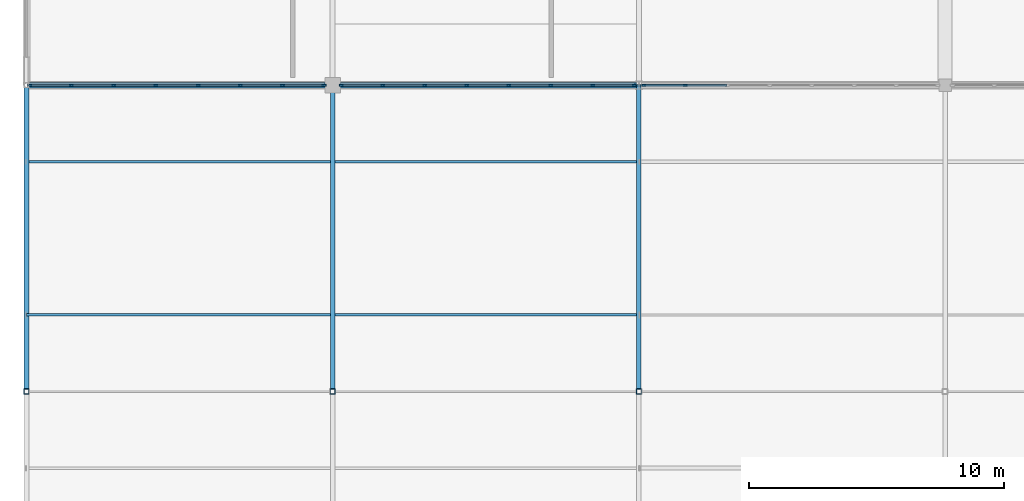
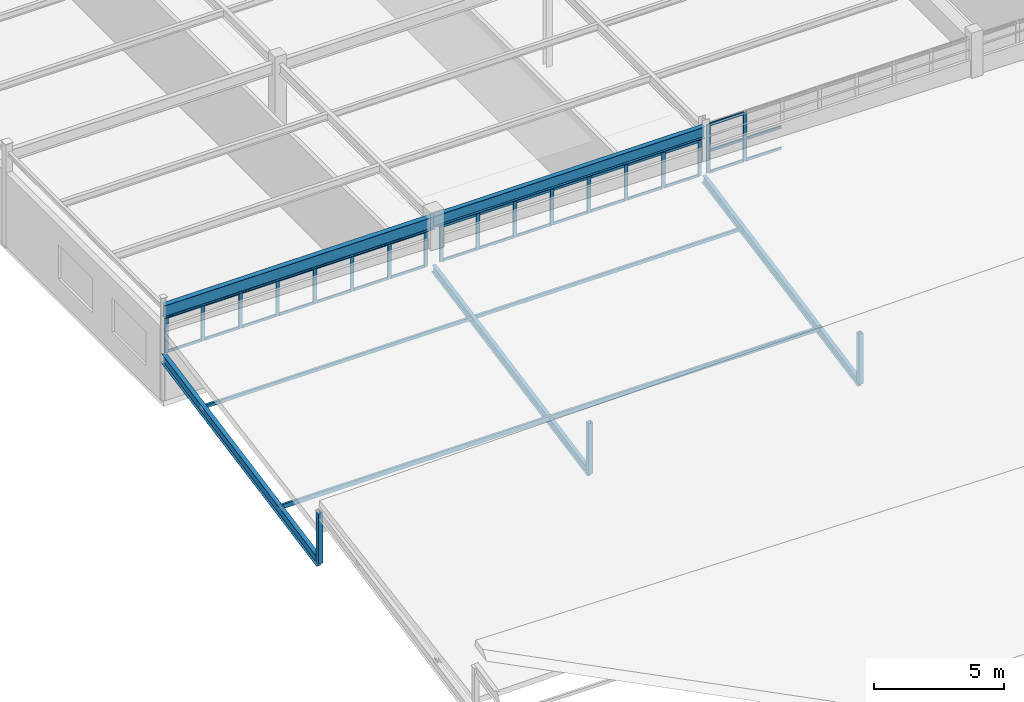
# One storey, part 71 of 226: 59 members, 2 beams, 3 elements without a shape of their own.
"""IFC4 building model written with IfcOpenShell, lengths in metres."""

from ifc_helpers import new_model, si_unit, direction, frame, origin, origin_2d, place, context, subcontext, project, spatial, rectangle, hollow_rectangle, i_section, extrude, material, layer, layer_set, material_profile, profile_set, type_object, element, aggregate, save


model = new_model("IFC4")

# Units and contexts
model_context = context("Model", 3, precision=1e-05, world=origin(), true_north=direction((0.0, 1.0)))
body_context = subcontext(model_context, "Body", "Model", "MODEL_VIEW")
ifc_project = project(units=[si_unit("LENGTHUNIT", "METRE"), si_unit("AREAUNIT", "SQUARE_METRE"), si_unit("VOLUMEUNIT", "CUBIC_METRE"), si_unit("PLANEANGLEUNIT", "RADIAN"), si_unit("MASSUNIT", "GRAM", prefix="KILO")], contexts=[model_context])

# Site, building, storey
site_placement = place(None, origin())
site = spatial("IfcSite", under=ifc_project, at=site_placement, CompositionType="ELEMENT")
building_placement = place(site_placement, origin())
building = spatial("IfcBuilding", under=site, at=building_placement, Name="Tarnwether General Hospital", CompositionType="ELEMENT")
storey_placement = place(building_placement, frame((0.0, 0.0, 4.800048828125)))
storey = spatial("IfcBuildingStorey", under=building, at=storey_placement, Name="L01", CompositionType="ELEMENT", Elevation=4.800048828125)

# Beams
ifc_material_1 = material(Name="Steel Grade 350 (350 MPa)", Category="steel")
ifc_material_profile_1 = material_profile(ifc_material_1, i_section(OverallWidth=0.22802734375, OverallDepth=0.60205078125, WebThickness=0.010498046875, FlangeThickness=0.014892578125, at=origin_2d()), Name="610UB101")
ifc_profile_set_1 = profile_set([ifc_material_profile_1], Name="Steel Grade 350 (350 MPa)")
beam_type_1 = type_object("IfcBeamType", Name="BM-G05", PredefinedType="BEAM", material=ifc_profile_set_1)
beam_1_placement = place(storey_placement, frame((0.0, 45.60009765625, 4.138916015625), z_axis=(1.0, 0.0, 0.0), x_axis=(0.0, 1.0, 0.0)))
element("IfcBeam", 1, at=beam_1_placement, inside=storey, type_object=beam_type_1, Name="Primary Girder BMG-L01-0_4560-1200_4560-1045", PredefinedType="BEAM", context=body_context, shape_type="SweptSolid", body=[
    extrude(i_section(OverallWidth=0.22802734375, OverallDepth=0.60205078125, WebThickness=0.010498046875, FlangeThickness=0.014892578125, at=origin_2d()), origin(), (0.0, 0.0, 1.0), 12.0),
])
ifc_material_2 = material(Name="Steel Grade 350 (350 MPa)", Category="steel")
ifc_material_profile_2 = material_profile(ifc_material_2, i_section(OverallWidth=0.208984375, OverallDepth=0.532958984375, WebThickness=0.01025390625, FlangeThickness=0.015625, at=origin_2d()), Name="530UB92.4")
ifc_profile_set_2 = profile_set([ifc_material_profile_2], Name="Steel Grade 350 (350 MPa)")
beam_type_2 = type_object("IfcBeamType", Name="BM-G06", PredefinedType="BEAM", material=ifc_profile_set_2)
beam_2_placement = place(storey_placement, frame((12.0, 45.60009765625, 4.17333984375), z_axis=(1.0, 0.0, 0.0), x_axis=(0.0, 1.0, 0.0)))
element("IfcBeam", 2, at=beam_2_placement, inside=storey, type_object=beam_type_2, Name="Primary Girder BMG-L01-1200_4560-2400_4560-1060", PredefinedType="BEAM", context=body_context, shape_type="SweptSolid", body=[
    extrude(i_section(OverallWidth=0.208984375, OverallDepth=0.532958984375, WebThickness=0.01025390625, FlangeThickness=0.015625, at=origin_2d()), origin(), (0.0, 0.0, 1.0), 12.0),
])

# Curtain wall, members
ifc_material_3 = material(Name="Anodised aluminium", Category="aluminium")
ifc_layer = layer(ifc_material_3, 0.159912109375)
ifc_layer_set = layer_set([ifc_layer], Name="Anodised aluminium")
curtain_wall_type = type_object("IfcCurtainWallType", Name="CW-24", PredefinedType="NOTDEFINED", material=ifc_layer_set)
curtain_wall_1_placement = place(storey_placement, origin())
curtain_wall_1 = element("IfcCurtainWall", 3, at=curtain_wall_1_placement, inside=storey, type_object=curtain_wall_type, Name="Curtain Wall CWG-L01-357_456-0349", PredefinedType="NOTDEFINED")
ifc_material_4 = material(Name="Anodised aluminium", Category="aluminium")
ifc_material_profile_3 = material_profile(ifc_material_4, rectangle(XDim=0.06005859375, YDim=0.159912109375, at=origin_2d()), Name="ALU-MUL-60x160")
ifc_profile_set_3 = profile_set([ifc_material_profile_3], Name="Anodised aluminium")
member_type_1 = type_object("IfcMemberType", Name="CW-ML1", PredefinedType="MULLION", material=ifc_profile_set_3)
member_1_placement = place(storey_placement, frame((25.814453125, 45.60009765625, 2.14990234375), z_axis=(0.0, 0.0, 1.0), x_axis=(0.0, -1.0, 0.0)))
member_1 = element("IfcMember", 4, at=member_1_placement, type_object=member_type_1, Name="CW-24 mullion 7", PredefinedType="MULLION", context=body_context, shape_type="SweptSolid", body=[
    extrude(rectangle(XDim=0.06005859375, YDim=0.159912109375, at=origin_2d()), origin(), (0.0, 0.0, 1.0), 2.280029296875),
])
member_2_placement = place(storey_placement, frame((24.18994140625, 45.60009765625, 2.14990234375), z_axis=(0.0, 0.0, 1.0), x_axis=(0.0, -1.0, 0.0)))
member_2 = element("IfcMember", 5, at=member_2_placement, type_object=member_type_1, Name="CW-24 mullion 8", PredefinedType="MULLION", context=body_context, shape_type="SweptSolid", body=[
    extrude(rectangle(XDim=0.06005859375, YDim=0.159912109375, at=origin_2d()), origin(), (0.0, 0.0, 1.0), 2.280029296875),
])

curtain_wall_2_placement = place(storey_placement, origin())
curtain_wall_2 = element("IfcCurtainWall", 6, at=curtain_wall_2_placement, inside=storey, type_object=curtain_wall_type, Name="Curtain Wall CWG-L01-238_456-0350", PredefinedType="NOTDEFINED")
member_3_placement = place(storey_placement, frame((23.81005859375, 45.60009765625, 2.14990234375), z_axis=(0.0, 0.0, 1.0), x_axis=(0.0, -1.0, 0.0)))
member_3 = element("IfcMember", 7, at=member_3_placement, type_object=member_type_1, Name="CW-24 mullion 1", PredefinedType="MULLION", context=body_context, shape_type="SweptSolid", body=[
    extrude(rectangle(XDim=0.06005859375, YDim=0.159912109375, at=origin_2d()), origin(), (0.0, 0.0, 1.0), 1.673095703125),
])
member_4_placement = place(storey_placement, frame((22.192626953125, 45.60009765625, 2.14990234375), z_axis=(0.0, 0.0, 1.0), x_axis=(0.0, -1.0, 0.0)))
member_4 = element("IfcMember", 8, at=member_4_placement, type_object=member_type_1, Name="CW-24 mullion 2", PredefinedType="MULLION", context=body_context, shape_type="SweptSolid", body=[
    extrude(rectangle(XDim=0.06005859375, YDim=0.159912109375, at=origin_2d()), origin(), (0.0, 0.0, 1.0), 1.673095703125),
])
member_5_placement = place(storey_placement, frame((20.545166015625, 45.60009765625, 2.14990234375), z_axis=(0.0, 0.0, 1.0), x_axis=(0.0, -1.0, 0.0)))
member_5 = element("IfcMember", 9, at=member_5_placement, type_object=member_type_1, Name="CW-24 mullion 3", PredefinedType="MULLION", context=body_context, shape_type="SweptSolid", body=[
    extrude(rectangle(XDim=0.06005859375, YDim=0.159912109375, at=origin_2d()), origin(), (0.0, 0.0, 1.0), 1.673095703125),
])
member_6_placement = place(storey_placement, frame((18.897705078125, 45.60009765625, 2.14990234375), z_axis=(0.0, 0.0, 1.0), x_axis=(0.0, -1.0, 0.0)))
member_6 = element("IfcMember", 10, at=member_6_placement, type_object=member_type_1, Name="CW-24 mullion 4", PredefinedType="MULLION", context=body_context, shape_type="SweptSolid", body=[
    extrude(rectangle(XDim=0.06005859375, YDim=0.159912109375, at=origin_2d()), origin(), (0.0, 0.0, 1.0), 1.673095703125),
])
member_7_placement = place(storey_placement, frame((17.250244140625, 45.60009765625, 2.14990234375), z_axis=(0.0, 0.0, 1.0), x_axis=(0.0, -1.0, 0.0)))
member_7 = element("IfcMember", 11, at=member_7_placement, type_object=member_type_1, Name="CW-24 mullion 5", PredefinedType="MULLION", context=body_context, shape_type="SweptSolid", body=[
    extrude(rectangle(XDim=0.06005859375, YDim=0.159912109375, at=origin_2d()), origin(), (0.0, 0.0, 1.0), 1.673095703125),
])
member_8_placement = place(storey_placement, frame((15.602783203125, 45.60009765625, 2.14990234375), z_axis=(0.0, 0.0, 1.0), x_axis=(0.0, -1.0, 0.0)))
member_8 = element("IfcMember", 12, at=member_8_placement, type_object=member_type_1, Name="CW-24 mullion 6", PredefinedType="MULLION", context=body_context, shape_type="SweptSolid", body=[
    extrude(rectangle(XDim=0.06005859375, YDim=0.159912109375, at=origin_2d()), origin(), (0.0, 0.0, 1.0), 1.673095703125),
])
member_9_placement = place(storey_placement, frame((13.955322265625, 45.60009765625, 2.14990234375), z_axis=(0.0, 0.0, 1.0), x_axis=(0.0, -1.0, 0.0)))
member_9 = element("IfcMember", 13, at=member_9_placement, type_object=member_type_1, Name="CW-24 mullion 7", PredefinedType="MULLION", context=body_context, shape_type="SweptSolid", body=[
    extrude(rectangle(XDim=0.06005859375, YDim=0.159912109375, at=origin_2d()), origin(), (0.0, 0.0, 1.0), 1.673095703125),
])
member_10_placement = place(storey_placement, frame((12.337890625, 45.60009765625, 2.14990234375), z_axis=(0.0, 0.0, 1.0), x_axis=(0.0, -1.0, 0.0)))
member_10 = element("IfcMember", 14, at=member_10_placement, type_object=member_type_1, Name="CW-24 mullion 8", PredefinedType="MULLION", context=body_context, shape_type="SweptSolid", body=[
    extrude(rectangle(XDim=0.06005859375, YDim=0.159912109375, at=origin_2d()), origin(), (0.0, 0.0, 1.0), 1.673095703125),
])

curtain_wall_3_placement = place(storey_placement, origin())
curtain_wall_3 = element("IfcCurtainWall", 15, at=curtain_wall_3_placement, inside=storey, type_object=curtain_wall_type, Name="Curtain Wall CWG-L01-117_456-0351", PredefinedType="NOTDEFINED")
member_11_placement = place(storey_placement, frame((11.662109375, 45.60009765625, 2.14990234375), z_axis=(0.0, 0.0, 1.0), x_axis=(0.0, -1.0, 0.0)))
member_11 = element("IfcMember", 16, at=member_11_placement, type_object=member_type_1, Name="CW-24 mullion 1", PredefinedType="MULLION", context=body_context, shape_type="SweptSolid", body=[
    extrude(rectangle(XDim=0.06005859375, YDim=0.159912109375, at=origin_2d()), origin(), (0.0, 0.0, 1.0), 1.673095703125),
])
member_12_placement = place(storey_placement, frame((10.03662109375, 45.60009765625, 2.14990234375), z_axis=(0.0, 0.0, 1.0), x_axis=(0.0, -1.0, 0.0)))
member_12 = element("IfcMember", 17, at=member_12_placement, type_object=member_type_1, Name="CW-24 mullion 2", PredefinedType="MULLION", context=body_context, shape_type="SweptSolid", body=[
    extrude(rectangle(XDim=0.06005859375, YDim=0.159912109375, at=origin_2d()), origin(), (0.0, 0.0, 1.0), 1.673095703125),
])
member_13_placement = place(storey_placement, frame((8.38134765625, 45.60009765625, 2.14990234375), z_axis=(0.0, 0.0, 1.0), x_axis=(0.0, -1.0, 0.0)))
member_13 = element("IfcMember", 18, at=member_13_placement, type_object=member_type_1, Name="CW-24 mullion 3", PredefinedType="MULLION", context=body_context, shape_type="SweptSolid", body=[
    extrude(rectangle(XDim=0.06005859375, YDim=0.159912109375, at=origin_2d()), origin(), (0.0, 0.0, 1.0), 1.673095703125),
])
member_14_placement = place(storey_placement, frame((6.72607421875, 45.60009765625, 2.14990234375), z_axis=(0.0, 0.0, 1.0), x_axis=(0.0, -1.0, 0.0)))
member_14 = element("IfcMember", 19, at=member_14_placement, type_object=member_type_1, Name="CW-24 mullion 4", PredefinedType="MULLION", context=body_context, shape_type="SweptSolid", body=[
    extrude(rectangle(XDim=0.06005859375, YDim=0.159912109375, at=origin_2d()), origin(), (0.0, 0.0, 1.0), 1.673095703125),
])
member_15_placement = place(storey_placement, frame((5.07080078125, 45.60009765625, 2.14990234375), z_axis=(0.0, 0.0, 1.0), x_axis=(0.0, -1.0, 0.0)))
member_15 = element("IfcMember", 20, at=member_15_placement, type_object=member_type_1, Name="CW-24 mullion 5", PredefinedType="MULLION", context=body_context, shape_type="SweptSolid", body=[
    extrude(rectangle(XDim=0.06005859375, YDim=0.159912109375, at=origin_2d()), origin(), (0.0, 0.0, 1.0), 1.673095703125),
])
member_16_placement = place(storey_placement, frame((3.41552734375, 45.60009765625, 2.14990234375), z_axis=(0.0, 0.0, 1.0), x_axis=(0.0, -1.0, 0.0)))
member_16 = element("IfcMember", 21, at=member_16_placement, type_object=member_type_1, Name="CW-24 mullion 6", PredefinedType="MULLION", context=body_context, shape_type="SweptSolid", body=[
    extrude(rectangle(XDim=0.06005859375, YDim=0.159912109375, at=origin_2d()), origin(), (0.0, 0.0, 1.0), 1.673095703125),
])
member_17_placement = place(storey_placement, frame((1.76025390625, 45.60009765625, 2.14990234375), z_axis=(0.0, 0.0, 1.0), x_axis=(0.0, -1.0, 0.0)))
member_17 = element("IfcMember", 22, at=member_17_placement, type_object=member_type_1, Name="CW-24 mullion 7", PredefinedType="MULLION", context=body_context, shape_type="SweptSolid", body=[
    extrude(rectangle(XDim=0.06005859375, YDim=0.159912109375, at=origin_2d()), origin(), (0.0, 0.0, 1.0), 1.673095703125),
])
member_18_placement = place(storey_placement, frame((0.135009765625, 45.60009765625, 2.14990234375), z_axis=(0.0, 0.0, 1.0), x_axis=(0.0, -1.0, 0.0)))
member_18 = element("IfcMember", 23, at=member_18_placement, type_object=member_type_1, Name="CW-24 mullion 8", PredefinedType="MULLION", context=body_context, shape_type="SweptSolid", body=[
    extrude(rectangle(XDim=0.06005859375, YDim=0.159912109375, at=origin_2d()), origin(), (0.0, 0.0, 1.0), 1.673095703125),
])

# Member
ifc_material_5 = material(Name="Anodised aluminium", Category="aluminium")
ifc_material_profile_4 = material_profile(ifc_material_5, rectangle(XDim=0.06005859375, YDim=0.1201171875, at=origin_2d()), Name="ALU-TRN-60x120")
ifc_profile_set_4 = profile_set([ifc_material_profile_4], Name="Anodised aluminium")
member_type_2 = type_object("IfcMemberType", Name="CW-TR1", PredefinedType="USERDEFINED", material=ifc_profile_set_4)
member_19_placement = place(storey_placement, frame((27.439208984375, 45.60009765625, 2.179931640625), z_axis=(-1.0, 0.0, 0.0), x_axis=(0.0, -1.0, 0.0)))
member_19 = element("IfcMember", 24, at=member_19_placement, type_object=member_type_2, Name="CW-24 transom 6.1", ObjectType="TRANSOM", PredefinedType="USERDEFINED", context=body_context, shape_type="SweptSolid", body=[
    extrude(rectangle(XDim=0.06005859375, YDim=0.1201171875, at=origin_2d()), origin(), (0.0, 0.0, 1.0), 1.5947265625),
])

member_20_placement = place(storey_placement, frame((27.439208984375, 45.60009765625, 3.176025390625), z_axis=(-1.0, 0.0, 0.0), x_axis=(0.0, -1.0, 0.0)))
member_20 = element("IfcMember", 25, at=member_20_placement, type_object=member_type_2, Name="CW-24 transom 6.2", ObjectType="TRANSOM", PredefinedType="USERDEFINED", context=body_context, shape_type="SweptSolid", body=[
    extrude(rectangle(XDim=0.06005859375, YDim=0.1201171875, at=origin_2d()), origin(), (0.0, 0.0, 1.0), 1.5947265625),
])

member_21_placement = place(storey_placement, frame((25.78466796875, 45.60009765625, 2.179931640625), z_axis=(-1.0, 0.0, 0.0), x_axis=(0.0, -1.0, 0.0)))
member_21 = element("IfcMember", 26, at=member_21_placement, type_object=member_type_2, Name="CW-24 transom 7.1", ObjectType="TRANSOM", PredefinedType="USERDEFINED", context=body_context, shape_type="SweptSolid", body=[
    extrude(rectangle(XDim=0.06005859375, YDim=0.1201171875, at=origin_2d()), origin(), (0.0, 0.0, 1.0), 1.564697265625),
])

member_22_placement = place(storey_placement, frame((25.78466796875, 45.60009765625, 3.176025390625), z_axis=(-1.0, 0.0, 0.0), x_axis=(0.0, -1.0, 0.0)))
member_22 = element("IfcMember", 27, at=member_22_placement, type_object=member_type_2, Name="CW-24 transom 7.2", ObjectType="TRANSOM", PredefinedType="USERDEFINED", context=body_context, shape_type="SweptSolid", body=[
    extrude(rectangle(XDim=0.06005859375, YDim=0.1201171875, at=origin_2d()), origin(), (0.0, 0.0, 1.0), 1.564697265625),
])

member_23_placement = place(storey_placement, frame((25.78466796875, 45.60009765625, 4.39990234375), z_axis=(-1.0, 0.0, 0.0), x_axis=(0.0, -1.0, 0.0)))
member_23 = element("IfcMember", 28, at=member_23_placement, type_object=member_type_2, Name="CW-24 transom 7.3", ObjectType="TRANSOM", PredefinedType="USERDEFINED", context=body_context, shape_type="SweptSolid", body=[
    extrude(rectangle(XDim=0.06005859375, YDim=0.1201171875, at=origin_2d()), origin(), (0.0, 0.0, 1.0), 1.564697265625),
])

aggregate(curtain_wall_1, [member_1, member_2, member_19, member_20, member_21, member_22, member_23])

member_24_placement = place(storey_placement, frame((23.780029296875, 45.60009765625, 2.179931640625), z_axis=(-1.0, 0.0, 0.0), x_axis=(0.0, -1.0, 0.0)))
member_24 = element("IfcMember", 29, at=member_24_placement, type_object=member_type_2, Name="CW-24 transom 1.1", ObjectType="TRANSOM", PredefinedType="USERDEFINED", context=body_context, shape_type="SweptSolid", body=[
    extrude(rectangle(XDim=0.06005859375, YDim=0.1201171875, at=origin_2d()), origin(), (0.0, 0.0, 1.0), 1.557373046875),
])

member_25_placement = place(storey_placement, frame((23.780029296875, 45.60009765625, 3.79296875), z_axis=(-1.0, 0.0, 0.0), x_axis=(0.0, -1.0, 0.0)))
member_25 = element("IfcMember", 30, at=member_25_placement, type_object=member_type_2, Name="CW-24 transom 1.2", ObjectType="TRANSOM", PredefinedType="USERDEFINED", context=body_context, shape_type="SweptSolid", body=[
    extrude(rectangle(XDim=0.06005859375, YDim=0.1201171875, at=origin_2d()), origin(), (0.0, 0.0, 1.0), 1.557373046875),
])

member_26_placement = place(storey_placement, frame((22.16259765625, 45.60009765625, 2.179931640625), z_axis=(-1.0, 0.0, 0.0), x_axis=(0.0, -1.0, 0.0)))
member_26 = element("IfcMember", 31, at=member_26_placement, type_object=member_type_2, Name="CW-24 transom 2.1", ObjectType="TRANSOM", PredefinedType="USERDEFINED", context=body_context, shape_type="SweptSolid", body=[
    extrude(rectangle(XDim=0.06005859375, YDim=0.1201171875, at=origin_2d()), origin(), (0.0, 0.0, 1.0), 1.58740234375),
])

member_27_placement = place(storey_placement, frame((22.16259765625, 45.60009765625, 3.79296875), z_axis=(-1.0, 0.0, 0.0), x_axis=(0.0, -1.0, 0.0)))
member_27 = element("IfcMember", 32, at=member_27_placement, type_object=member_type_2, Name="CW-24 transom 2.2", ObjectType="TRANSOM", PredefinedType="USERDEFINED", context=body_context, shape_type="SweptSolid", body=[
    extrude(rectangle(XDim=0.06005859375, YDim=0.1201171875, at=origin_2d()), origin(), (0.0, 0.0, 1.0), 1.58740234375),
])

member_28_placement = place(storey_placement, frame((20.51513671875, 45.60009765625, 2.179931640625), z_axis=(-1.0, 0.0, 0.0), x_axis=(0.0, -1.0, 0.0)))
member_28 = element("IfcMember", 33, at=member_28_placement, type_object=member_type_2, Name="CW-24 transom 3.1", ObjectType="TRANSOM", PredefinedType="USERDEFINED", context=body_context, shape_type="SweptSolid", body=[
    extrude(rectangle(XDim=0.06005859375, YDim=0.1201171875, at=origin_2d()), origin(), (0.0, 0.0, 1.0), 1.58740234375),
])

member_29_placement = place(storey_placement, frame((20.51513671875, 45.60009765625, 3.79296875), z_axis=(-1.0, 0.0, 0.0), x_axis=(0.0, -1.0, 0.0)))
member_29 = element("IfcMember", 34, at=member_29_placement, type_object=member_type_2, Name="CW-24 transom 3.2", ObjectType="TRANSOM", PredefinedType="USERDEFINED", context=body_context, shape_type="SweptSolid", body=[
    extrude(rectangle(XDim=0.06005859375, YDim=0.1201171875, at=origin_2d()), origin(), (0.0, 0.0, 1.0), 1.58740234375),
])

member_30_placement = place(storey_placement, frame((18.86767578125, 45.60009765625, 2.179931640625), z_axis=(-1.0, 0.0, 0.0), x_axis=(0.0, -1.0, 0.0)))
member_30 = element("IfcMember", 35, at=member_30_placement, type_object=member_type_2, Name="CW-24 transom 4.1", ObjectType="TRANSOM", PredefinedType="USERDEFINED", context=body_context, shape_type="SweptSolid", body=[
    extrude(rectangle(XDim=0.06005859375, YDim=0.1201171875, at=origin_2d()), origin(), (0.0, 0.0, 1.0), 1.58740234375),
])

member_31_placement = place(storey_placement, frame((18.86767578125, 45.60009765625, 3.79296875), z_axis=(-1.0, 0.0, 0.0), x_axis=(0.0, -1.0, 0.0)))
member_31 = element("IfcMember", 36, at=member_31_placement, type_object=member_type_2, Name="CW-24 transom 4.2", ObjectType="TRANSOM", PredefinedType="USERDEFINED", context=body_context, shape_type="SweptSolid", body=[
    extrude(rectangle(XDim=0.06005859375, YDim=0.1201171875, at=origin_2d()), origin(), (0.0, 0.0, 1.0), 1.58740234375),
])

member_32_placement = place(storey_placement, frame((17.22021484375, 45.60009765625, 2.179931640625), z_axis=(-1.0, 0.0, 0.0), x_axis=(0.0, -1.0, 0.0)))
member_32 = element("IfcMember", 37, at=member_32_placement, type_object=member_type_2, Name="CW-24 transom 5.1", ObjectType="TRANSOM", PredefinedType="USERDEFINED", context=body_context, shape_type="SweptSolid", body=[
    extrude(rectangle(XDim=0.06005859375, YDim=0.1201171875, at=origin_2d()), origin(), (0.0, 0.0, 1.0), 1.58740234375),
])

member_33_placement = place(storey_placement, frame((17.22021484375, 45.60009765625, 3.79296875), z_axis=(-1.0, 0.0, 0.0), x_axis=(0.0, -1.0, 0.0)))
member_33 = element("IfcMember", 38, at=member_33_placement, type_object=member_type_2, Name="CW-24 transom 5.2", ObjectType="TRANSOM", PredefinedType="USERDEFINED", context=body_context, shape_type="SweptSolid", body=[
    extrude(rectangle(XDim=0.06005859375, YDim=0.1201171875, at=origin_2d()), origin(), (0.0, 0.0, 1.0), 1.58740234375),
])

member_34_placement = place(storey_placement, frame((15.57275390625, 45.60009765625, 2.179931640625), z_axis=(-1.0, 0.0, 0.0), x_axis=(0.0, -1.0, 0.0)))
member_34 = element("IfcMember", 39, at=member_34_placement, type_object=member_type_2, Name="CW-24 transom 6.1", ObjectType="TRANSOM", PredefinedType="USERDEFINED", context=body_context, shape_type="SweptSolid", body=[
    extrude(rectangle(XDim=0.06005859375, YDim=0.1201171875, at=origin_2d()), origin(), (0.0, 0.0, 1.0), 1.58740234375),
])

member_35_placement = place(storey_placement, frame((15.57275390625, 45.60009765625, 3.79296875), z_axis=(-1.0, 0.0, 0.0), x_axis=(0.0, -1.0, 0.0)))
member_35 = element("IfcMember", 40, at=member_35_placement, type_object=member_type_2, Name="CW-24 transom 6.2", ObjectType="TRANSOM", PredefinedType="USERDEFINED", context=body_context, shape_type="SweptSolid", body=[
    extrude(rectangle(XDim=0.06005859375, YDim=0.1201171875, at=origin_2d()), origin(), (0.0, 0.0, 1.0), 1.58740234375),
])

member_36_placement = place(storey_placement, frame((13.925537109375, 45.60009765625, 2.179931640625), z_axis=(-1.0, 0.0, 0.0), x_axis=(0.0, -1.0, 0.0)))
member_36 = element("IfcMember", 41, at=member_36_placement, type_object=member_type_2, Name="CW-24 transom 7.1", ObjectType="TRANSOM", PredefinedType="USERDEFINED", context=body_context, shape_type="SweptSolid", body=[
    extrude(rectangle(XDim=0.06005859375, YDim=0.1201171875, at=origin_2d()), origin(), (0.0, 0.0, 1.0), 1.5576171875),
])

member_37_placement = place(storey_placement, frame((13.925537109375, 45.60009765625, 3.79296875), z_axis=(-1.0, 0.0, 0.0), x_axis=(0.0, -1.0, 0.0)))
member_37 = element("IfcMember", 42, at=member_37_placement, type_object=member_type_2, Name="CW-24 transom 7.2", ObjectType="TRANSOM", PredefinedType="USERDEFINED", context=body_context, shape_type="SweptSolid", body=[
    extrude(rectangle(XDim=0.06005859375, YDim=0.1201171875, at=origin_2d()), origin(), (0.0, 0.0, 1.0), 1.5576171875),
])

aggregate(curtain_wall_2, [member_3, member_4, member_5, member_6, member_7, member_8, member_9, member_10, member_24, member_25, member_26, member_27, member_28, member_29, member_30, member_31, member_32, member_33, member_34, member_35, member_36, member_37])

member_38_placement = place(storey_placement, frame((11.632080078125, 45.60009765625, 2.179931640625), z_axis=(-1.0, 0.0, 0.0), x_axis=(0.0, -1.0, 0.0)))
member_38 = element("IfcMember", 43, at=member_38_placement, type_object=member_type_2, Name="CW-24 transom 1.1", ObjectType="TRANSOM", PredefinedType="USERDEFINED", context=body_context, shape_type="SweptSolid", body=[
    extrude(rectangle(XDim=0.06005859375, YDim=0.1201171875, at=origin_2d()), origin(), (0.0, 0.0, 1.0), 1.5654296875),
])

member_39_placement = place(storey_placement, frame((11.632080078125, 45.60009765625, 3.79296875), z_axis=(-1.0, 0.0, 0.0), x_axis=(0.0, -1.0, 0.0)))
member_39 = element("IfcMember", 44, at=member_39_placement, type_object=member_type_2, Name="CW-24 transom 1.2", ObjectType="TRANSOM", PredefinedType="USERDEFINED", context=body_context, shape_type="SweptSolid", body=[
    extrude(rectangle(XDim=0.06005859375, YDim=0.1201171875, at=origin_2d()), origin(), (0.0, 0.0, 1.0), 1.5654296875),
])

member_40_placement = place(storey_placement, frame((10.0068359375, 45.60009765625, 2.179931640625), z_axis=(-1.0, 0.0, 0.0), x_axis=(0.0, -1.0, 0.0)))
member_40 = element("IfcMember", 45, at=member_40_placement, type_object=member_type_2, Name="CW-24 transom 2.1", ObjectType="TRANSOM", PredefinedType="USERDEFINED", context=body_context, shape_type="SweptSolid", body=[
    extrude(rectangle(XDim=0.06005859375, YDim=0.1201171875, at=origin_2d()), origin(), (0.0, 0.0, 1.0), 1.595458984375),
])

member_41_placement = place(storey_placement, frame((10.0068359375, 45.60009765625, 3.79296875), z_axis=(-1.0, 0.0, 0.0), x_axis=(0.0, -1.0, 0.0)))
member_41 = element("IfcMember", 46, at=member_41_placement, type_object=member_type_2, Name="CW-24 transom 2.2", ObjectType="TRANSOM", PredefinedType="USERDEFINED", context=body_context, shape_type="SweptSolid", body=[
    extrude(rectangle(XDim=0.06005859375, YDim=0.1201171875, at=origin_2d()), origin(), (0.0, 0.0, 1.0), 1.595458984375),
])

member_42_placement = place(storey_placement, frame((8.351318359375, 45.60009765625, 2.179931640625), z_axis=(-1.0, 0.0, 0.0), x_axis=(0.0, -1.0, 0.0)))
member_42 = element("IfcMember", 47, at=member_42_placement, type_object=member_type_2, Name="CW-24 transom 3.1", ObjectType="TRANSOM", PredefinedType="USERDEFINED", context=body_context, shape_type="SweptSolid", body=[
    extrude(rectangle(XDim=0.06005859375, YDim=0.1201171875, at=origin_2d()), origin(), (0.0, 0.0, 1.0), 1.59521484375),
])

member_43_placement = place(storey_placement, frame((8.351318359375, 45.60009765625, 3.79296875), z_axis=(-1.0, 0.0, 0.0), x_axis=(0.0, -1.0, 0.0)))
member_43 = element("IfcMember", 48, at=member_43_placement, type_object=member_type_2, Name="CW-24 transom 3.2", ObjectType="TRANSOM", PredefinedType="USERDEFINED", context=body_context, shape_type="SweptSolid", body=[
    extrude(rectangle(XDim=0.06005859375, YDim=0.1201171875, at=origin_2d()), origin(), (0.0, 0.0, 1.0), 1.59521484375),
])

member_44_placement = place(storey_placement, frame((6.696044921875, 45.60009765625, 2.179931640625), z_axis=(-1.0, 0.0, 0.0), x_axis=(0.0, -1.0, 0.0)))
member_44 = element("IfcMember", 49, at=member_44_placement, type_object=member_type_2, Name="CW-24 transom 4.1", ObjectType="TRANSOM", PredefinedType="USERDEFINED", context=body_context, shape_type="SweptSolid", body=[
    extrude(rectangle(XDim=0.06005859375, YDim=0.1201171875, at=origin_2d()), origin(), (0.0, 0.0, 1.0), 1.59521484375),
])

member_45_placement = place(storey_placement, frame((6.696044921875, 45.60009765625, 3.79296875), z_axis=(-1.0, 0.0, 0.0), x_axis=(0.0, -1.0, 0.0)))
member_45 = element("IfcMember", 50, at=member_45_placement, type_object=member_type_2, Name="CW-24 transom 4.2", ObjectType="TRANSOM", PredefinedType="USERDEFINED", context=body_context, shape_type="SweptSolid", body=[
    extrude(rectangle(XDim=0.06005859375, YDim=0.1201171875, at=origin_2d()), origin(), (0.0, 0.0, 1.0), 1.59521484375),
])

member_46_placement = place(storey_placement, frame((5.040771484375, 45.60009765625, 2.179931640625), z_axis=(-1.0, 0.0, 0.0), x_axis=(0.0, -1.0, 0.0)))
member_46 = element("IfcMember", 51, at=member_46_placement, type_object=member_type_2, Name="CW-24 transom 5.1", ObjectType="TRANSOM", PredefinedType="USERDEFINED", context=body_context, shape_type="SweptSolid", body=[
    extrude(rectangle(XDim=0.06005859375, YDim=0.1201171875, at=origin_2d()), origin(), (0.0, 0.0, 1.0), 1.59521484375),
])

member_47_placement = place(storey_placement, frame((5.040771484375, 45.60009765625, 3.79296875), z_axis=(-1.0, 0.0, 0.0), x_axis=(0.0, -1.0, 0.0)))
member_47 = element("IfcMember", 52, at=member_47_placement, type_object=member_type_2, Name="CW-24 transom 5.2", ObjectType="TRANSOM", PredefinedType="USERDEFINED", context=body_context, shape_type="SweptSolid", body=[
    extrude(rectangle(XDim=0.06005859375, YDim=0.1201171875, at=origin_2d()), origin(), (0.0, 0.0, 1.0), 1.59521484375),
])

member_48_placement = place(storey_placement, frame((3.385498046875, 45.60009765625, 2.179931640625), z_axis=(-1.0, 0.0, 0.0), x_axis=(0.0, -1.0, 0.0)))
member_48 = element("IfcMember", 53, at=member_48_placement, type_object=member_type_2, Name="CW-24 transom 6.1", ObjectType="TRANSOM", PredefinedType="USERDEFINED", context=body_context, shape_type="SweptSolid", body=[
    extrude(rectangle(XDim=0.06005859375, YDim=0.1201171875, at=origin_2d()), origin(), (0.0, 0.0, 1.0), 1.59521484375),
])

member_49_placement = place(storey_placement, frame((3.385498046875, 45.60009765625, 3.79296875), z_axis=(-1.0, 0.0, 0.0), x_axis=(0.0, -1.0, 0.0)))
member_49 = element("IfcMember", 54, at=member_49_placement, type_object=member_type_2, Name="CW-24 transom 6.2", ObjectType="TRANSOM", PredefinedType="USERDEFINED", context=body_context, shape_type="SweptSolid", body=[
    extrude(rectangle(XDim=0.06005859375, YDim=0.1201171875, at=origin_2d()), origin(), (0.0, 0.0, 1.0), 1.59521484375),
])

member_50_placement = place(storey_placement, frame((1.730224609375, 45.60009765625, 2.179931640625), z_axis=(-1.0, 0.0, 0.0), x_axis=(0.0, -1.0, 0.0)))
member_50 = element("IfcMember", 55, at=member_50_placement, type_object=member_type_2, Name="CW-24 transom 7.1", ObjectType="TRANSOM", PredefinedType="USERDEFINED", context=body_context, shape_type="SweptSolid", body=[
    extrude(rectangle(XDim=0.06005859375, YDim=0.1201171875, at=origin_2d()), origin(), (0.0, 0.0, 1.0), 1.565185546875),
])

member_51_placement = place(storey_placement, frame((1.730224609375, 45.60009765625, 3.79296875), z_axis=(-1.0, 0.0, 0.0), x_axis=(0.0, -1.0, 0.0)))
member_51 = element("IfcMember", 56, at=member_51_placement, type_object=member_type_2, Name="CW-24 transom 7.2", ObjectType="TRANSOM", PredefinedType="USERDEFINED", context=body_context, shape_type="SweptSolid", body=[
    extrude(rectangle(XDim=0.06005859375, YDim=0.1201171875, at=origin_2d()), origin(), (0.0, 0.0, 1.0), 1.565185546875),
])

aggregate(curtain_wall_3, [member_11, member_12, member_13, member_14, member_15, member_16, member_17, member_18, member_38, member_39, member_40, member_41, member_42, member_43, member_44, member_45, member_46, member_47, member_48, member_49, member_50, member_51])

# Members
ifc_material_6 = material(Name="Steel Grade C350L0 (350 MPa)", Category="steel")
ifc_material_profile_5 = material_profile(ifc_material_6, hollow_rectangle(XDim=0.199951171875, YDim=0.199951171875, WallThickness=0.010009765625, at=origin_2d()), Name="SHS200x200x10")
ifc_profile_set_5 = profile_set([ifc_material_profile_5], Name="Steel Grade C350L0 (350 MPa)")
member_type_3 = type_object("IfcMemberType", Name="MB-BR8", PredefinedType="BRACE", material=ifc_profile_set_5)
for number, where, z_axis, x_axis, name in (
    (57, (0.0, 33.60009765625, -0.380126953125), (0.0, 0.0, 1.0), (1.0, 0.0, 0.0), "Emergency Sawtooth Web Strut 045"),
    (58, (12.0, 33.60009765625, -0.380126953125), (0.0, 0.0, 1.0), (1.0, 0.0, 0.0), "Emergency Sawtooth Web Strut 046"),
    (59, (24.0, 33.60009765625, -0.380126953125), (0.0, 0.0, 1.0), (1.0, 0.0, 0.0), "Emergency Sawtooth Web Strut 047"),
):
    element("IfcMember", number, at=place(storey_placement, frame(where, z_axis=z_axis, x_axis=x_axis)), inside=storey, type_object=member_type_3, Name=name, PredefinedType="BRACE", context=body_context, shape_type="SweptSolid", body=[
        extrude(hollow_rectangle(XDim=0.199951171875, YDim=0.199951171875, WallThickness=0.010009765625, at=origin_2d()), origin(), (0.0, 0.0, 1.0), 2.380126953125),
    ])
ifc_material_7 = material(Name="Steel Grade C350L0 (350 MPa)", Category="steel")
ifc_material_profile_6 = material_profile(ifc_material_7, hollow_rectangle(XDim=0.10009765625, YDim=0.199951171875, WallThickness=0.008056640625, at=origin_2d()), Name="RHS200x100x8")
ifc_profile_set_6 = profile_set([ifc_material_profile_6], Name="Steel Grade C350L0 (350 MPa)")
member_type_4 = type_object("IfcMemberType", Name="MB-PR3", PredefinedType="PURLIN", material=ifc_profile_set_6)
member_52_placement = place(storey_placement, frame((0.0, 36.60009765625, 0.39990234375), z_axis=(1.0, 0.0, 0.0), x_axis=(0.0, 1.0, 0.0)))
element("IfcMember", 60, at=member_52_placement, inside=storey, type_object=member_type_4, Name="Emergency Sawtooth Purlin 059", PredefinedType="PURLIN", context=body_context, shape_type="SweptSolid", body=[
    extrude(hollow_rectangle(XDim=0.10009765625, YDim=0.199951171875, WallThickness=0.008056640625, at=origin_2d()), origin(), (0.0, 0.0, 1.0), 24.0),
])
ifc_material_8 = material(Name="Steel Grade C350L0 (350 MPa)", Category="steel")
ifc_material_profile_7 = material_profile(ifc_material_8, hollow_rectangle(XDim=0.10009765625, YDim=0.14990234375, WallThickness=0.006103515625, at=origin_2d()), Name="RHS150x100x6")
ifc_profile_set_7 = profile_set([ifc_material_profile_7], Name="Steel Grade C350L0 (350 MPa)")
member_type_5 = type_object("IfcMemberType", Name="MB-PR5", PredefinedType="PURLIN", material=ifc_profile_set_7)
member_53_placement = place(storey_placement, frame((0.0, 42.60009765625, 1.43994140625), z_axis=(1.0, 0.0, 0.0), x_axis=(0.0, 1.0, 0.0)))
element("IfcMember", 61, at=member_53_placement, inside=storey, type_object=member_type_5, Name="Emergency Sawtooth Purlin 061", PredefinedType="PURLIN", context=body_context, shape_type="SweptSolid", body=[
    extrude(hollow_rectangle(XDim=0.10009765625, YDim=0.14990234375, WallThickness=0.006103515625, at=origin_2d()), origin(), (0.0, 0.0, 1.0), 24.0),
])
ifc_material_9 = material(Name="Steel Grade 350 (350 MPa)", Category="steel")
ifc_material_profile_8 = material_profile(ifc_material_9, i_section(OverallWidth=0.18994140625, OverallDepth=0.4541015625, WebThickness=0.008544921875, FlangeThickness=0.0126953125, at=origin_2d()), Name="460UB67.1")
ifc_profile_set_8 = profile_set([ifc_material_profile_8], Name="Steel Grade 350 (350 MPa)")
member_type_6 = type_object("IfcMemberType", Name="MB-RF3", PredefinedType="RAFTER", material=ifc_profile_set_8)
member_54_placement = place(storey_placement, frame((0.0, 33.60009765625, -0.360107421875), z_axis=(0.0, 0.981818178063, 0.189823774132), x_axis=(-1.0, 0.0, 0.0)))
element("IfcMember", 62, at=member_54_placement, inside=storey, type_object=member_type_6, Name="Emergency Sawtooth Rafter 054", PredefinedType="RAFTER", context=body_context, shape_type="SweptSolid", body=[
    extrude(i_section(OverallWidth=0.18994140625, OverallDepth=0.4541015625, WebThickness=0.008544921875, FlangeThickness=0.0126953125, at=origin_2d()), origin(), (0.0, 0.0, 1.0), 12.22216796875),
])
ifc_material_10 = material(Name="Steel Grade 350 (350 MPa)", Category="steel")
ifc_material_profile_9 = material_profile(ifc_material_10, i_section(OverallWidth=0.1708984375, OverallDepth=0.35595703125, WebThickness=0.00732421875, FlangeThickness=0.011474609375, at=origin_2d()), Name="360UB50.7")
ifc_profile_set_9 = profile_set([ifc_material_profile_9], Name="Steel Grade 350 (350 MPa)")
member_type_7 = type_object("IfcMemberType", Name="MB-RF4", PredefinedType="RAFTER", material=ifc_profile_set_9)
for number, where, z_axis, x_axis, name in (
    (63, (12.0, 33.60009765625, -0.360107421875), (0.0, 0.981818178063, 0.189823774132), (-1.0, 0.0, 0.0), "Emergency Sawtooth Rafter 055"),
    (64, (24.0, 33.60009765625, -0.360107421875), (0.0, 0.981818178063, 0.189823774132), (-1.0, 0.0, 0.0), "Emergency Sawtooth Rafter 056"),
):
    element("IfcMember", number, at=place(storey_placement, frame(where, z_axis=z_axis, x_axis=x_axis)), inside=storey, type_object=member_type_7, Name=name, PredefinedType="RAFTER", context=body_context, shape_type="SweptSolid", body=[
        extrude(i_section(OverallWidth=0.1708984375, OverallDepth=0.35595703125, WebThickness=0.00732421875, FlangeThickness=0.011474609375, at=origin_2d()), origin(), (0.0, 0.0, 1.0), 12.22216796875),
    ])

save(model, "model.ifc")
